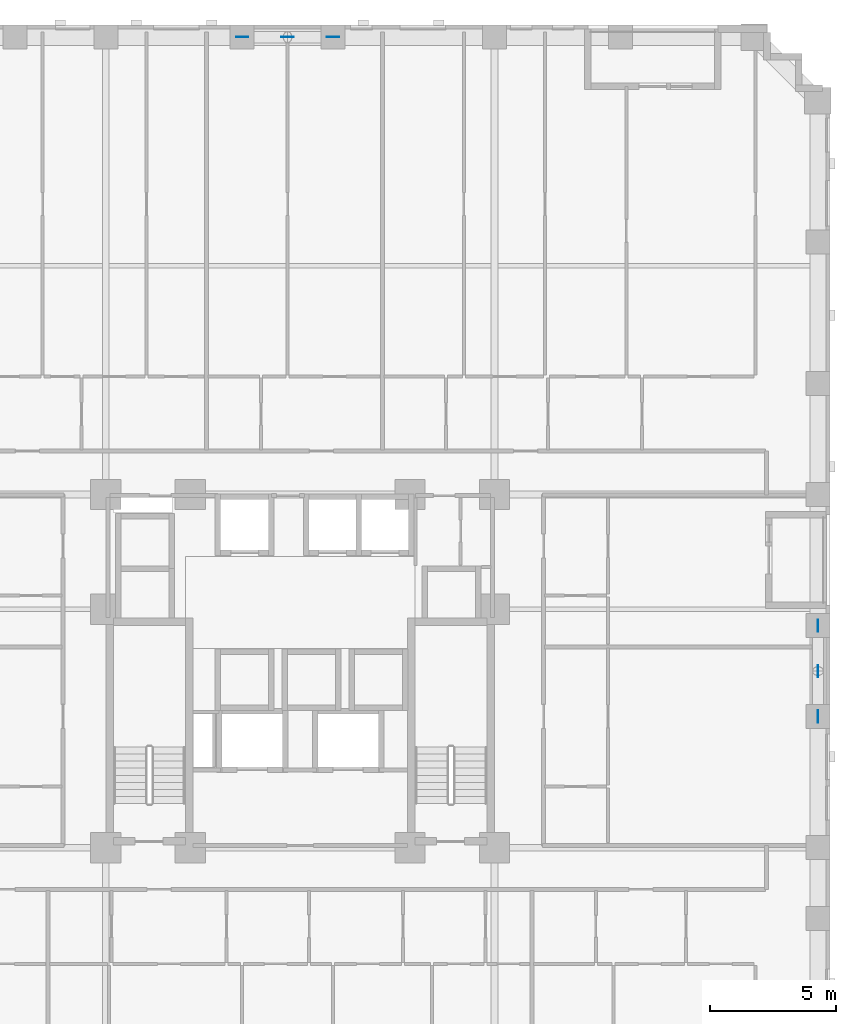
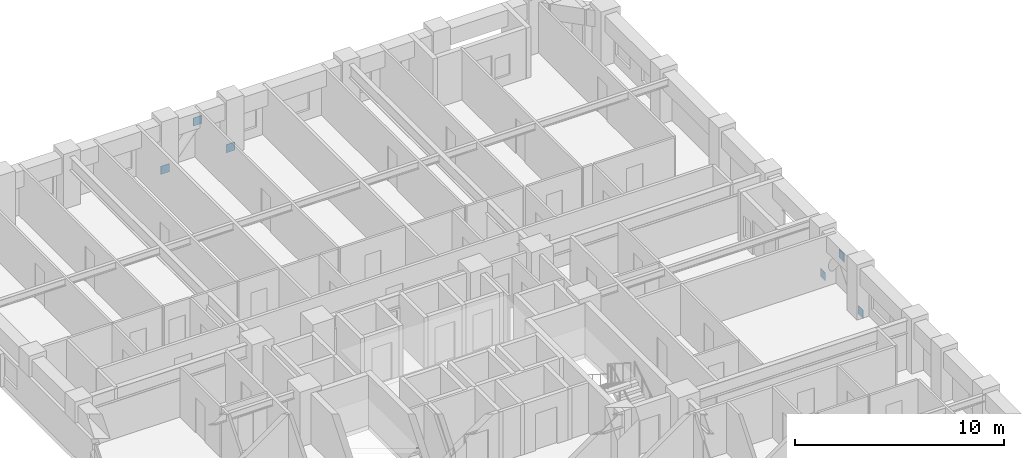
# One storey, part 10 of 13: 6 discrete accessories.
"""IFC4 building model written with IfcOpenShell, lengths in metres."""

from ifc_helpers import new_model, si_unit, derived_unit, direction, frame, origin, origin_2d, place, context, subcontext, project, spatial, rectangle, extrude, material, layer, layer_set, type_object, element, save


model = new_model("IFC4")

# Units and contexts
model_context = context("Model", 3, precision=1e-05, world=origin(), true_north=direction((0.0, 1.0)))
body_context = subcontext(model_context, "Body", "Model", "MODEL_VIEW")
ifc_project = project(units=[si_unit("LENGTHUNIT", "METRE"), si_unit("AREAUNIT", "SQUARE_METRE"), si_unit("VOLUMEUNIT", "CUBIC_METRE"), si_unit("PLANEANGLEUNIT", "RADIAN"), si_unit("MASSUNIT", "GRAM", prefix="KILO"), derived_unit("THERMALTRANSMITTANCEUNIT", [(si_unit("MASSUNIT", "GRAM", prefix="KILO"), 1), (si_unit("TIMEUNIT", "SECOND"), -3), (si_unit("THERMODYNAMICTEMPERATUREUNIT", "KELVIN"), -1)])], contexts=[model_context])

# Site, building, storey
site_placement = place(None, origin())
site = spatial("IfcSite", under=ifc_project, at=site_placement, CompositionType="ELEMENT")
building_placement = place(site_placement, origin())
building = spatial("IfcBuilding", under=site, at=building_placement, Name="Korrvale Station Residences", CompositionType="ELEMENT")
storey_placement = place(building_placement, frame((0.0, 0.0, 35.39990234375)))
storey = spatial("IfcBuildingStorey", under=building, at=storey_placement, Name="L08", CompositionType="ELEMENT", Elevation=35.39990234375)

# Discrete accessories
ifc_material = material(Name="Steel S355", Category="steel")
ifc_layer = layer(ifc_material, 0.02490234375, Name="Steel S355")
ifc_layer_set = layer_set([ifc_layer], Name="Steel S355")
discrete_accessory_type = type_object("IfcDiscreteAccessoryType", Name="ACC-GUSSET-25", PredefinedType="BRACKET", material=ifc_layer_set)
for number, where, z_axis, x_axis, name in (
    (1, (23.199951171875, 47.1201171875, -0.219970703125), (0.0, 0.0, 1.0), (1.0, 0.0, 0.0), "L08 N Brace End Gusset Connection A"),
    (2, (26.800048828125, 47.1201171875, -0.219970703125), (0.0, 0.0, 1.0), (1.0, 0.0, 0.0), "L08 N Brace End Gusset Connection B"),
    (3, (25.0, 47.1201171875, 1.97021484375), (0.0, 0.0, 1.0), (1.0, 0.0, 0.0), "L08 N Brace End Gusset Connection M"),
    (4, (46.02001953125, 20.199951171875, -0.219970703125), (0.0, 0.0, 1.0), (0.0, 1.0, 0.0), "L08 E Brace End Gusset Connection A"),
    (5, (46.02001953125, 23.800048828125, -0.219970703125), (0.0, 0.0, 1.0), (0.0, 1.0, 0.0), "L08 E Brace End Gusset Connection B"),
    (6, (46.02001953125, 22.0, 1.97021484375), (0.0, 0.0, 1.0), (0.0, 1.0, 0.0), "L08 E Brace End Gusset Connection M"),
):
    element("IfcDiscreteAccessory", number, at=place(storey_placement, frame(where, z_axis=z_axis, x_axis=x_axis)), inside=storey, type_object=discrete_accessory_type, Name=name, PredefinedType="BRACKET", context=body_context, shape_type="SweptSolid", body=[
        extrude(rectangle(XDim=0.47998046875, YDim=0.02490234375, at=origin_2d()), origin(), (0.0, 0.0, 1.0), 0.47998046875),
    ])

save(model, "model.ifc")
